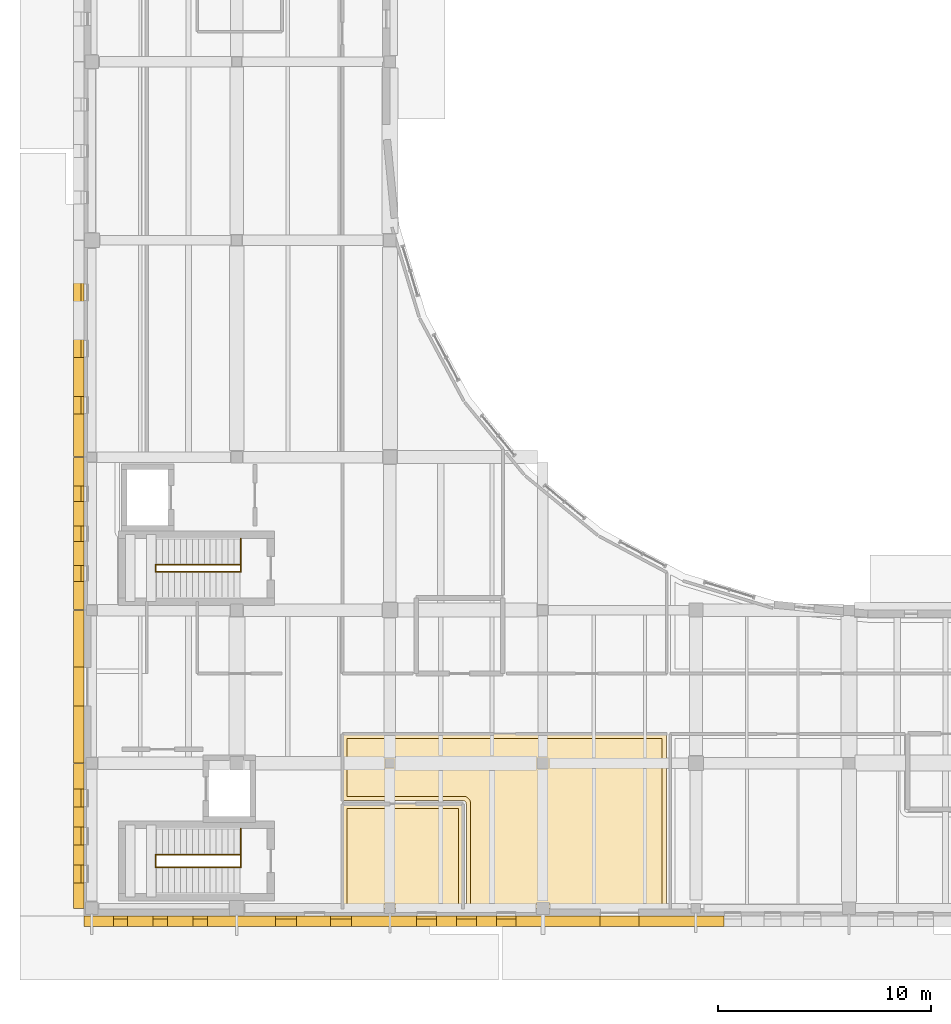
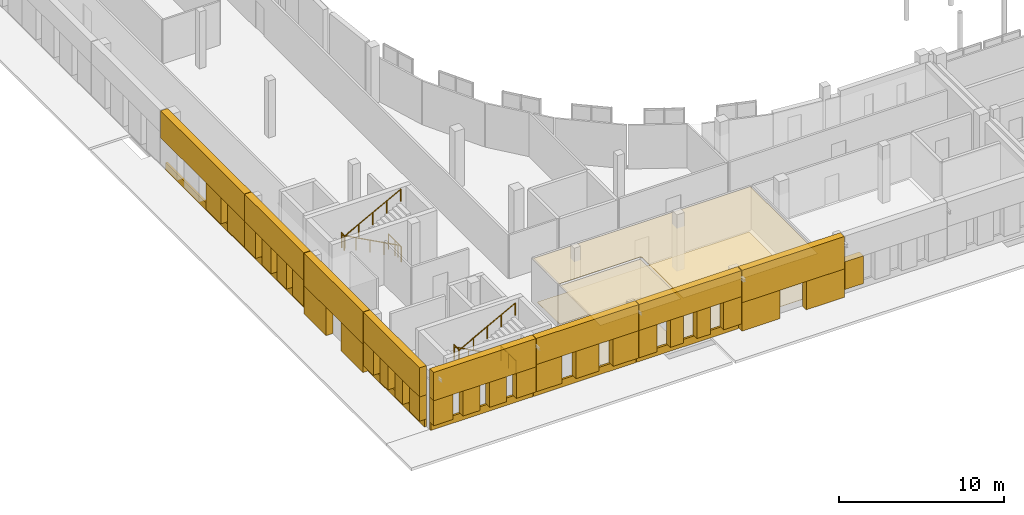
# One storey, part 65 of 77: 44 coverings, 8 railings.
"""IFC4 building model written with IfcOpenShell, lengths in metres."""

from ifc_helpers import new_model, si_unit, direction, frame, origin, origin_2d, place, context, subcontext, project, spatial, polyline, circle, outline, extrude, material, layer, layer_set, type_object, element, save


model = new_model("IFC4")

# Units and contexts
model_context = context("Model", 3, precision=1e-05, world=origin(), true_north=direction((0.0, 1.0)))
body_context = subcontext(model_context, "Body", "Model", "MODEL_VIEW")
ifc_project = project(units=[si_unit("LENGTHUNIT", "METRE"), si_unit("AREAUNIT", "SQUARE_METRE"), si_unit("VOLUMEUNIT", "CUBIC_METRE"), si_unit("PLANEANGLEUNIT", "RADIAN"), si_unit("MASSUNIT", "GRAM", prefix="KILO")], contexts=[model_context])

# Site, building, storey
site_placement = place(None, origin())
site = spatial("IfcSite", under=ifc_project, at=site_placement, CompositionType="ELEMENT")
building_placement = place(site_placement, origin())
building = spatial("IfcBuilding", under=site, at=building_placement, Name="Vardoun Plaza Health Centre", CompositionType="ELEMENT")
storey_placement = place(building_placement, origin())
storey = spatial("IfcBuildingStorey", under=building, at=storey_placement, Name="L00", CompositionType="ELEMENT", Elevation=0.0)

# Coverings
ifc_material_1 = material(Name="Hygienic Acoustic Mineral-Fibre Ceiling", Category="concrete")
ifc_layer_1 = layer(ifc_material_1, 0.02490234375)
ifc_layer_set_1 = layer_set([ifc_layer_1], Name="Hygienic Acoustic Mineral-Fibre Ceiling")
covering_type_1 = type_object("IfcCoveringType", Name="CL-01", PredefinedType="CEILING", material=ifc_layer_set_1)
covering_1_placement = place(storey_placement, frame((0.0, 0.0, 3.179931640625)))
element("IfcCovering", 1, at=covering_1_placement, inside=storey, type_object=covering_type_1, Name="Fire Command Room Acoustic Ceiling", PredefinedType="CEILING", context=body_context, shape_type="SweptSolid", body=[
    extrude(outline(polyline([(16.679931640625, 9.7744140625), (22.33447265625, 9.7744140625), (22.33447265625, 4.860107421875), (16.679931640625, 4.860107421875), (16.679931640625, 9.7744140625)])), origin(), (0.0, 0.0, 1.0), 0.025146484375),
])
covering_2_placement = place(storey_placement, frame((0.0, 0.0, 3.179931640625)))
element("IfcCovering", 2, at=covering_2_placement, inside=storey, type_object=covering_type_1, Name="Outpatient Waiting Lounge L00 Acoustic Ceiling", PredefinedType="CEILING", context=body_context, shape_type="SweptSolid", body=[
    extrude(outline(polyline([(16.679931640625, 13.070068359375), (31.919921875, 13.070068359375), (31.919921875, 4.860107421875), (22.494384765625, 4.860107421875), (22.494384765625, 9.784423828125), (22.494384765625, 9.784912109375), (22.493896484375, 9.798583984375), (22.49365234375, 9.799560546875), (22.49169921875, 9.813232421875), (22.491455078125, 9.814208984375), (22.48828125, 9.827392578125), (22.48779296875, 9.828369140625), (22.483154296875, 9.84130859375), (22.48291015625, 9.842041015625), (22.47705078125, 9.8544921875), (22.4765625, 9.85546875), (22.469482421875, 9.8671875), (22.468994140625, 9.867919921875), (22.460693359375, 9.879150390625), (22.460205078125, 9.8798828125), (22.450927734375, 9.889892578125), (22.4501953125, 9.890625), (22.43994140625, 9.89990234375), (22.439208984375, 9.900634765625), (22.42822265625, 9.90869140625), (22.427490234375, 9.909423828125), (22.41552734375, 9.91650390625), (22.414794921875, 9.916748046875), (22.40234375, 9.922607421875), (22.4013671875, 9.923095703125), (22.388427734375, 9.927734375), (22.3876953125, 9.927978515625), (22.374267578125, 9.931396484375), (22.373291015625, 9.931640625), (22.359619140625, 9.93359375), (22.358642578125, 9.93359375), (22.344970703125, 9.934326171875), (22.344482421875, 9.934326171875), (16.679931640625, 9.934326171875), (16.679931640625, 13.070068359375)])), origin(), (0.0, 0.0, 1.0), 0.025146484375),
])
ifc_material_2 = material(Name="Pale Limestone Concrete C35/45", Category="masonry")
ifc_layer_2 = layer(ifc_material_2, 0.080078125)
ifc_layer_set_2 = layer_set([ifc_layer_2], Name="Pale Limestone Concrete C35/45")
covering_type_2 = type_object("IfcCoveringType", Name="CL-EXT1", PredefinedType="CLADDING", material=ifc_layer_set_2)
covering_3_placement = place(storey_placement, frame((0.0, 0.0, 0.550048828125)))
element("IfcCovering", 3, at=covering_3_placement, inside=storey, type_object=covering_type_2, Name="V2 L00 Deep-Punched Slot Concrete Reveal Pier 12", PredefinedType="CLADDING", context=body_context, shape_type="SweptSolid", body=[
    extrude(outline(polyline([(34.623046875, 4.5), (33.320068359375, 4.5), (33.320068359375, 4.02001953125), (34.623046875, 4.02001953125), (34.623046875, 4.5)])), origin(), (0.0, 0.0, 1.0), 2.06005859375),
])
covering_4_placement = place(storey_placement, frame((0.0, 0.0, 2.10009765625)))
element("IfcCovering", 4, at=covering_4_placement, inside=storey, type_object=covering_type_2, Name="V2 L00 Sculpted Concrete Eyebrow Hood 13", PredefinedType="CLADDING", context=body_context, shape_type="SweptSolid", body=[
    extrude(outline(polyline([(33.280029296875, 4.5), (26.1201171875, 4.5), (26.1201171875, 4.02001953125), (33.280029296875, 4.02001953125), (33.280029296875, 4.5)])), origin(), (0.0, 0.0, 1.0), 2.39990234375),
])
covering_5_placement = place(storey_placement, origin())
element("IfcCovering", 5, at=covering_5_placement, inside=storey, type_object=covering_type_2, Name="V2 L00 Deep-Punched Slot Concrete Reveal Pier 14", PredefinedType="CLADDING", context=body_context, shape_type="SweptSolid", body=[
    extrude(outline(polyline([(33.280029296875, 4.5), (30.6201171875, 4.5), (30.6201171875, 4.02001953125), (33.280029296875, 4.02001953125), (33.280029296875, 4.5)])), origin(), (0.0, 0.0, 1.0), 2.10009765625),
])
covering_6_placement = place(storey_placement, origin())
element("IfcCovering", 6, at=covering_6_placement, inside=storey, type_object=covering_type_2, Name="V2 L00 Deep-Punched Slot Concrete Reveal Pier 15", PredefinedType="CLADDING", context=body_context, shape_type="SweptSolid", body=[
    extrude(outline(polyline([(28.780029296875, 4.5), (26.1201171875, 4.5), (26.1201171875, 4.02001953125), (28.780029296875, 4.02001953125), (28.780029296875, 4.5)])), origin(), (0.0, 0.0, 1.0), 2.10009765625),
])
covering_7_placement = place(storey_placement, origin())
element("IfcCovering", 7, at=covering_7_placement, inside=storey, type_object=covering_type_2, Name="V2 L00 Pale Concrete Sill Band 16", PredefinedType="CLADDING", context=body_context, shape_type="SweptSolid", body=[
    extrude(outline(polyline([(26.080078125, 4.5), (18.919921875, 4.5), (18.919921875, 4.360107421875), (26.080078125, 4.360107421875), (26.080078125, 4.5)])), origin(), (0.0, 0.0, 1.0), 0.550048828125),
])
covering_8_placement = place(storey_placement, frame((0.0, 0.0, 2.570068359375)))
element("IfcCovering", 8, at=covering_8_placement, inside=storey, type_object=covering_type_2, Name="V2 L00 Sculpted Concrete Eyebrow Hood 17", PredefinedType="CLADDING", context=body_context, shape_type="SweptSolid", body=[
    extrude(outline(polyline([(26.080078125, 4.5), (18.919921875, 4.5), (18.919921875, 4.02001953125), (26.080078125, 4.02001953125), (26.080078125, 4.5)])), origin(), (0.0, 0.0, 1.0), 1.929931640625),
])
covering_9_placement = place(storey_placement, frame((0.0, 0.0, 0.550048828125)))
element("IfcCovering", 9, at=covering_9_placement, inside=storey, type_object=covering_type_2, Name="V2 L00 Deep-Punched Slot Concrete Reveal Pier 18", PredefinedType="CLADDING", context=body_context, shape_type="SweptSolid", body=[
    extrude(outline(polyline([(26.080078125, 4.5), (24.8369140625, 4.5), (24.8369140625, 4.02001953125), (26.080078125, 4.02001953125), (26.080078125, 4.5)])), origin(), (0.0, 0.0, 1.0), 2.02001953125),
])
covering_10_placement = place(storey_placement, frame((0.0, 0.0, 0.550048828125)))
element("IfcCovering", 10, at=covering_10_placement, inside=storey, type_object=covering_type_2, Name="V2 L00 Deep-Punched Slot Concrete Reveal Pier 19", PredefinedType="CLADDING", context=body_context, shape_type="SweptSolid", body=[
    extrude(outline(polyline([(23.906982421875, 4.5), (22.965087890625, 4.5), (22.965087890625, 4.02001953125), (23.906982421875, 4.02001953125), (23.906982421875, 4.5)])), origin(), (0.0, 0.0, 1.0), 2.02001953125),
])
covering_11_placement = place(storey_placement, frame((0.0, 0.0, 0.550048828125)))
element("IfcCovering", 11, at=covering_11_placement, inside=storey, type_object=covering_type_2, Name="V2 L00 Deep-Punched Slot Concrete Reveal Pier 20", PredefinedType="CLADDING", context=body_context, shape_type="SweptSolid", body=[
    extrude(outline(polyline([(22.034912109375, 4.5), (21.093017578125, 4.5), (21.093017578125, 4.02001953125), (22.034912109375, 4.02001953125), (22.034912109375, 4.5)])), origin(), (0.0, 0.0, 1.0), 2.02001953125),
])
covering_12_placement = place(storey_placement, frame((0.0, 0.0, 0.550048828125)))
element("IfcCovering", 12, at=covering_12_placement, inside=storey, type_object=covering_type_2, Name="V2 L00 Deep-Punched Slot Concrete Reveal Pier 21", PredefinedType="CLADDING", context=body_context, shape_type="SweptSolid", body=[
    extrude(outline(polyline([(20.1630859375, 4.5), (18.919921875, 4.5), (18.919921875, 4.02001953125), (20.1630859375, 4.02001953125), (20.1630859375, 4.5)])), origin(), (0.0, 0.0, 1.0), 2.02001953125),
])
covering_13_placement = place(storey_placement, origin())
element("IfcCovering", 13, at=covering_13_placement, inside=storey, type_object=covering_type_2, Name="V2 L00 Pale Concrete Sill Band 22", PredefinedType="CLADDING", context=body_context, shape_type="SweptSolid", body=[
    extrude(outline(polyline([(18.8798828125, 4.5), (11.719970703125, 4.5), (11.719970703125, 4.360107421875), (18.8798828125, 4.360107421875), (18.8798828125, 4.5)])), origin(), (0.0, 0.0, 1.0), 0.550048828125),
])
covering_14_placement = place(storey_placement, frame((0.0, 0.0, 2.570068359375)))
element("IfcCovering", 14, at=covering_14_placement, inside=storey, type_object=covering_type_2, Name="V2 L00 Sculpted Concrete Eyebrow Hood 23", PredefinedType="CLADDING", context=body_context, shape_type="SweptSolid", body=[
    extrude(outline(polyline([(18.8798828125, 4.5), (11.719970703125, 4.5), (11.719970703125, 4.02001953125), (18.8798828125, 4.02001953125), (18.8798828125, 4.5)])), origin(), (0.0, 0.0, 1.0), 1.929931640625),
])
covering_15_placement = place(storey_placement, frame((0.0, 0.0, 0.550048828125)))
element("IfcCovering", 15, at=covering_15_placement, inside=storey, type_object=covering_type_2, Name="V2 L00 Deep-Punched Slot Concrete Reveal Pier 24", PredefinedType="CLADDING", context=body_context, shape_type="SweptSolid", body=[
    extrude(outline(polyline([(18.8798828125, 4.5), (17.091064453125, 4.5), (17.091064453125, 4.02001953125), (18.8798828125, 4.02001953125), (18.8798828125, 4.5)])), origin(), (0.0, 0.0, 1.0), 2.02001953125),
])
covering_16_placement = place(storey_placement, frame((0.0, 0.0, 0.550048828125)))
element("IfcCovering", 16, at=covering_16_placement, inside=storey, type_object=covering_type_2, Name="V2 L00 Deep-Punched Slot Concrete Reveal Pier 25", PredefinedType="CLADDING", context=body_context, shape_type="SweptSolid", body=[
    extrude(outline(polyline([(16.10107421875, 4.5), (14.4990234375, 4.5), (14.4990234375, 4.02001953125), (16.10107421875, 4.02001953125), (16.10107421875, 4.5)])), origin(), (0.0, 0.0, 1.0), 2.02001953125),
])
covering_17_placement = place(storey_placement, frame((0.0, 0.0, 0.550048828125)))
element("IfcCovering", 17, at=covering_17_placement, inside=storey, type_object=covering_type_2, Name="V2 L00 Deep-Punched Slot Concrete Reveal Pier 26", PredefinedType="CLADDING", context=body_context, shape_type="SweptSolid", body=[
    extrude(outline(polyline([(13.509033203125, 4.5), (11.719970703125, 4.5), (11.719970703125, 4.02001953125), (13.509033203125, 4.02001953125), (13.509033203125, 4.5)])), origin(), (0.0, 0.0, 1.0), 2.02001953125),
])
covering_18_placement = place(storey_placement, origin())
element("IfcCovering", 18, at=covering_18_placement, inside=storey, type_object=covering_type_2, Name="V2 L00 Pale Concrete Sill Band 27", PredefinedType="CLADDING", context=body_context, shape_type="SweptSolid", body=[
    extrude(outline(polyline([(11.679931640625, 4.5), (4.52001953125, 4.5), (4.52001953125, 4.360107421875), (11.679931640625, 4.360107421875), (11.679931640625, 4.5)])), origin(), (0.0, 0.0, 1.0), 0.550048828125),
])
covering_19_placement = place(storey_placement, frame((0.0, 0.0, 2.39990234375)))
element("IfcCovering", 19, at=covering_19_placement, inside=storey, type_object=covering_type_2, Name="V2 L00 Sculpted Concrete Eyebrow Hood 28", PredefinedType="CLADDING", context=body_context, shape_type="SweptSolid", body=[
    extrude(outline(polyline([(11.679931640625, 4.5), (4.52001953125, 4.5), (4.52001953125, 4.02001953125), (11.679931640625, 4.02001953125), (11.679931640625, 4.5)])), origin(), (0.0, 0.0, 1.0), 2.10009765625),
])
covering_20_placement = place(storey_placement, frame((0.0, 0.0, 0.550048828125)))
element("IfcCovering", 20, at=covering_20_placement, inside=storey, type_object=covering_type_2, Name="V2 L00 Deep-Punched Slot Concrete Reveal Pier 29", PredefinedType="CLADDING", context=body_context, shape_type="SweptSolid", body=[
    extrude(outline(polyline([(11.679931640625, 4.5), (10.31201171875, 4.5), (10.31201171875, 4.02001953125), (11.679931640625, 4.02001953125), (11.679931640625, 4.5)])), origin(), (0.0, 0.0, 1.0), 1.849853515625),
])
covering_21_placement = place(storey_placement, frame((0.0, 0.0, 0.550048828125)))
element("IfcCovering", 21, at=covering_21_placement, inside=storey, type_object=covering_type_2, Name="V2 L00 Deep-Punched Slot Concrete Reveal Pier 30", PredefinedType="CLADDING", context=body_context, shape_type="SweptSolid", body=[
    extrude(outline(polyline([(9.632080078125, 4.5), (8.43994140625, 4.5), (8.43994140625, 4.02001953125), (9.632080078125, 4.02001953125), (9.632080078125, 4.5)])), origin(), (0.0, 0.0, 1.0), 1.849853515625),
])
covering_22_placement = place(storey_placement, frame((0.0, 0.0, 0.550048828125)))
element("IfcCovering", 22, at=covering_22_placement, inside=storey, type_object=covering_type_2, Name="V2 L00 Deep-Punched Slot Concrete Reveal Pier 31", PredefinedType="CLADDING", context=body_context, shape_type="SweptSolid", body=[
    extrude(outline(polyline([(7.760009765625, 4.5), (6.568115234375, 4.5), (6.568115234375, 4.02001953125), (7.760009765625, 4.02001953125), (7.760009765625, 4.5)])), origin(), (0.0, 0.0, 1.0), 1.849853515625),
])
covering_23_placement = place(storey_placement, frame((0.0, 0.0, 0.550048828125)))
element("IfcCovering", 23, at=covering_23_placement, inside=storey, type_object=covering_type_2, Name="V2 L00 Deep-Punched Slot Concrete Reveal Pier 32", PredefinedType="CLADDING", context=body_context, shape_type="SweptSolid", body=[
    extrude(outline(polyline([(5.887939453125, 4.5), (4.52001953125, 4.5), (4.52001953125, 4.02001953125), (5.887939453125, 4.02001953125), (5.887939453125, 4.5)])), origin(), (0.0, 0.0, 1.0), 1.849853515625),
])
covering_24_placement = place(storey_placement, origin())
element("IfcCovering", 24, at=covering_24_placement, inside=storey, type_object=covering_type_2, Name="V2 L00 Pale Concrete Sill Band 33", PredefinedType="CLADDING", context=body_context, shape_type="SweptSolid", body=[
    extrude(outline(polyline([(4.5, 4.864990234375), (4.5, 11.679931640625), (4.360107421875, 11.679931640625), (4.360107421875, 4.864990234375), (4.5, 4.864990234375)])), origin(), (0.0, 0.0, 1.0), 0.550048828125),
])
covering_25_placement = place(storey_placement, frame((0.0, 0.0, 2.35009765625)))
element("IfcCovering", 25, at=covering_25_placement, inside=storey, type_object=covering_type_2, Name="V2 L00 Sculpted Concrete Eyebrow Hood 34", PredefinedType="CLADDING", context=body_context, shape_type="SweptSolid", body=[
    extrude(outline(polyline([(4.5, 4.864990234375), (4.5, 11.679931640625), (4.02001953125, 11.679931640625), (4.02001953125, 4.864990234375), (4.5, 4.864990234375)])), origin(), (0.0, 0.0, 1.0), 2.14990234375),
])
covering_26_placement = place(storey_placement, frame((0.0, 0.0, 0.550048828125)))
element("IfcCovering", 26, at=covering_26_placement, inside=storey, type_object=covering_type_2, Name="V2 L00 Deep-Punched Slot Concrete Reveal Pier 35", PredefinedType="CLADDING", context=body_context, shape_type="SweptSolid", body=[
    extrude(outline(polyline([(4.5, 4.864990234375), (4.5, 6.0703125), (4.02001953125, 6.0703125), (4.02001953125, 4.864990234375), (4.5, 4.864990234375)])), origin(), (0.0, 0.0, 1.0), 1.800048828125),
])
covering_27_placement = place(storey_placement, frame((0.0, 0.0, 0.550048828125)))
element("IfcCovering", 27, at=covering_27_placement, inside=storey, type_object=covering_type_2, Name="V2 L00 Deep-Punched Slot Concrete Reveal Pier 36", PredefinedType="CLADDING", context=body_context, shape_type="SweptSolid", body=[
    extrude(outline(polyline([(4.5, 6.91015625), (4.5, 7.8525390625), (4.02001953125, 7.8525390625), (4.02001953125, 6.91015625), (4.5, 6.91015625)])), origin(), (0.0, 0.0, 1.0), 1.800048828125),
])
covering_28_placement = place(storey_placement, frame((0.0, 0.0, 0.550048828125)))
element("IfcCovering", 28, at=covering_28_placement, inside=storey, type_object=covering_type_2, Name="V2 L00 Deep-Punched Slot Concrete Reveal Pier 37", PredefinedType="CLADDING", context=body_context, shape_type="SweptSolid", body=[
    extrude(outline(polyline([(4.5, 8.6923828125), (4.5, 9.634765625), (4.02001953125, 9.634765625), (4.02001953125, 8.6923828125), (4.5, 8.6923828125)])), origin(), (0.0, 0.0, 1.0), 1.800048828125),
])
covering_29_placement = place(storey_placement, frame((0.0, 0.0, 0.550048828125)))
element("IfcCovering", 29, at=covering_29_placement, inside=storey, type_object=covering_type_2, Name="V2 L00 Deep-Punched Slot Concrete Reveal Pier 38", PredefinedType="CLADDING", context=body_context, shape_type="SweptSolid", body=[
    extrude(outline(polyline([(4.5, 10.474853515625), (4.5, 11.679931640625), (4.02001953125, 11.679931640625), (4.02001953125, 10.474853515625), (4.5, 10.474853515625)])), origin(), (0.0, 0.0, 1.0), 1.800048828125),
])
covering_30_placement = place(storey_placement, frame((0.0, 0.0, 2.10009765625)))
element("IfcCovering", 30, at=covering_30_placement, inside=storey, type_object=covering_type_2, Name="V2 L00 Sculpted Concrete Eyebrow Hood 39", PredefinedType="CLADDING", context=body_context, shape_type="SweptSolid", body=[
    extrude(outline(polyline([(4.5, 11.719970703125), (4.5, 18.8798828125), (4.02001953125, 18.8798828125), (4.02001953125, 11.719970703125), (4.5, 11.719970703125)])), origin(), (0.0, 0.0, 1.0), 2.39990234375),
])
covering_31_placement = place(storey_placement, origin())
element("IfcCovering", 31, at=covering_31_placement, inside=storey, type_object=covering_type_2, Name="V2 L00 Deep-Punched Slot Concrete Reveal Pier 40", PredefinedType="CLADDING", context=body_context, shape_type="SweptSolid", body=[
    extrude(outline(polyline([(4.5, 11.719970703125), (4.5, 14.3798828125), (4.02001953125, 14.3798828125), (4.02001953125, 11.719970703125), (4.5, 11.719970703125)])), origin(), (0.0, 0.0, 1.0), 2.10009765625),
])
covering_32_placement = place(storey_placement, origin())
element("IfcCovering", 32, at=covering_32_placement, inside=storey, type_object=covering_type_2, Name="V2 L00 Deep-Punched Slot Concrete Reveal Pier 41", PredefinedType="CLADDING", context=body_context, shape_type="SweptSolid", body=[
    extrude(outline(polyline([(4.5, 16.219970703125), (4.5, 18.8798828125), (4.02001953125, 18.8798828125), (4.02001953125, 16.219970703125), (4.5, 16.219970703125)])), origin(), (0.0, 0.0, 1.0), 2.10009765625),
])
covering_33_placement = place(storey_placement, origin())
element("IfcCovering", 33, at=covering_33_placement, inside=storey, type_object=covering_type_2, Name="V2 L00 Pale Concrete Sill Band 42", PredefinedType="CLADDING", context=body_context, shape_type="SweptSolid", body=[
    extrude(outline(polyline([(4.5, 18.919921875), (4.5, 26.080078125), (4.360107421875, 26.080078125), (4.360107421875, 18.919921875), (4.5, 18.919921875)])), origin(), (0.0, 0.0, 1.0), 0.550048828125),
])
covering_34_placement = place(storey_placement, frame((0.0, 0.0, 2.469970703125)))
element("IfcCovering", 34, at=covering_34_placement, inside=storey, type_object=covering_type_2, Name="V2 L00 Sculpted Concrete Eyebrow Hood 43", PredefinedType="CLADDING", context=body_context, shape_type="SweptSolid", body=[
    extrude(outline(polyline([(4.5, 18.919921875), (4.5, 26.080078125), (4.02001953125, 26.080078125), (4.02001953125, 18.919921875), (4.5, 18.919921875)])), origin(), (0.0, 0.0, 1.0), 2.030029296875),
])
covering_35_placement = place(storey_placement, frame((0.0, 0.0, 0.550048828125)))
element("IfcCovering", 35, at=covering_35_placement, inside=storey, type_object=covering_type_2, Name="V2 L00 Deep-Punched Slot Concrete Reveal Pier 44", PredefinedType="CLADDING", context=body_context, shape_type="SweptSolid", body=[
    extrude(outline(polyline([(4.5, 18.919921875), (4.5, 20.258056640625), (4.02001953125, 20.258056640625), (4.02001953125, 18.919921875), (4.5, 18.919921875)])), origin(), (0.0, 0.0, 1.0), 1.919921875),
])
covering_36_placement = place(storey_placement, frame((0.0, 0.0, 0.550048828125)))
element("IfcCovering", 36, at=covering_36_placement, inside=storey, type_object=covering_type_2, Name="V2 L00 Deep-Punched Slot Concrete Reveal Pier 45", PredefinedType="CLADDING", context=body_context, shape_type="SweptSolid", body=[
    extrude(outline(polyline([(4.5, 20.998046875), (4.5, 22.1298828125), (4.02001953125, 22.1298828125), (4.02001953125, 20.998046875), (4.5, 20.998046875)])), origin(), (0.0, 0.0, 1.0), 1.919921875),
])
covering_37_placement = place(storey_placement, frame((0.0, 0.0, 0.550048828125)))
element("IfcCovering", 37, at=covering_37_placement, inside=storey, type_object=covering_type_2, Name="V2 L00 Deep-Punched Slot Concrete Reveal Pier 46", PredefinedType="CLADDING", context=body_context, shape_type="SweptSolid", body=[
    extrude(outline(polyline([(4.5, 22.8701171875), (4.5, 24.001953125), (4.02001953125, 24.001953125), (4.02001953125, 22.8701171875), (4.5, 22.8701171875)])), origin(), (0.0, 0.0, 1.0), 1.919921875),
])
covering_38_placement = place(storey_placement, frame((0.0, 0.0, 0.550048828125)))
element("IfcCovering", 38, at=covering_38_placement, inside=storey, type_object=covering_type_2, Name="V2 L00 Deep-Punched Slot Concrete Reveal Pier 47", PredefinedType="CLADDING", context=body_context, shape_type="SweptSolid", body=[
    extrude(outline(polyline([(4.5, 24.741943359375), (4.5, 26.080078125), (4.02001953125, 26.080078125), (4.02001953125, 24.741943359375), (4.5, 24.741943359375)])), origin(), (0.0, 0.0, 1.0), 1.919921875),
])
covering_39_placement = place(storey_placement, origin())
element("IfcCovering", 39, at=covering_39_placement, inside=storey, type_object=covering_type_2, Name="V2 L00 Pale Concrete Sill Band 48", PredefinedType="CLADDING", context=body_context, shape_type="SweptSolid", body=[
    extrude(outline(polyline([(4.5, 26.1201171875), (4.5, 36.280029296875), (4.360107421875, 36.280029296875), (4.360107421875, 26.1201171875), (4.5, 26.1201171875)])), origin(), (0.0, 0.0, 1.0), 0.550048828125),
])
covering_40_placement = place(storey_placement, frame((0.0, 0.0, 2.5)))
element("IfcCovering", 40, at=covering_40_placement, inside=storey, type_object=covering_type_2, Name="V2 L00 Sculpted Concrete Eyebrow Hood 49", PredefinedType="CLADDING", context=body_context, shape_type="SweptSolid", body=[
    extrude(outline(polyline([(4.5, 26.1201171875), (4.5, 36.280029296875), (4.02001953125, 36.280029296875), (4.02001953125, 26.1201171875), (4.5, 26.1201171875)])), origin(), (0.0, 0.0, 1.0), 2.0),
])
covering_41_placement = place(storey_placement, frame((0.0, 0.0, 0.550048828125)))
element("IfcCovering", 41, at=covering_41_placement, inside=storey, type_object=covering_type_2, Name="V2 L00 Deep-Punched Slot Concrete Reveal Pier 50", PredefinedType="CLADDING", context=body_context, shape_type="SweptSolid", body=[
    extrude(outline(polyline([(4.5, 26.1201171875), (4.5, 28.137939453125), (4.02001953125, 28.137939453125), (4.02001953125, 26.1201171875), (4.5, 26.1201171875)])), origin(), (0.0, 0.0, 1.0), 1.949951171875),
])
covering_42_placement = place(storey_placement, frame((0.0, 0.0, 0.550048828125)))
element("IfcCovering", 42, at=covering_42_placement, inside=storey, type_object=covering_type_2, Name="V2 L00 Deep-Punched Slot Concrete Reveal Pier 51", PredefinedType="CLADDING", context=body_context, shape_type="SweptSolid", body=[
    extrude(outline(polyline([(4.5, 28.9580078125), (4.5, 30.7900390625), (4.02001953125, 30.7900390625), (4.02001953125, 28.9580078125), (4.5, 28.9580078125)])), origin(), (0.0, 0.0, 1.0), 1.949951171875),
])
ifc_material_3 = material(Name="Polished Lebanese Limestone Terrazzo", Category="masonry")
ifc_layer_3 = layer(ifc_material_3, 0.030029296875)
ifc_layer_set_3 = layer_set([ifc_layer_3], Name="Polished Lebanese Limestone Terrazzo")
covering_type_3 = type_object("IfcCoveringType", Name="FL-02", PredefinedType="FLOORING", material=ifc_layer_set_3)
covering_43_placement = place(storey_placement, origin())
element("IfcCovering", 43, at=covering_43_placement, inside=storey, type_object=covering_type_3, Name="Outpatient Waiting Lounge L00 Floor Finish", PredefinedType="FLOORING", context=body_context, shape_type="SweptSolid", body=[
    extrude(outline(polyline([(16.889892578125, 12.860107421875), (31.7099609375, 12.860107421875), (31.7099609375, 5.070068359375), (22.70458984375, 5.070068359375), (22.70458984375, 9.784423828125), (22.7041015625, 9.795654296875), (22.70361328125, 9.809326171875), (22.701416015625, 9.830078125), (22.699462890625, 9.84375), (22.6953125, 9.86474609375), (22.69189453125, 9.8779296875), (22.685302734375, 9.900390625), (22.680419921875, 9.9130859375), (22.673095703125, 9.93115234375), (22.667236328125, 9.943603515625), (22.656494140625, 9.963623046875), (22.6494140625, 9.9755859375), (22.637939453125, 9.992919921875), (22.629638671875, 10.00390625), (22.615234375, 10.021240234375), (22.606201171875, 10.031494140625), (22.591796875, 10.0458984375), (22.58154296875, 10.05517578125), (22.564697265625, 10.069091796875), (22.5537109375, 10.0771484375), (22.534423828125, 10.090087890625), (22.522705078125, 10.096923828125), (22.5048828125, 10.1064453125), (22.49267578125, 10.1123046875), (22.471435546875, 10.12109375), (22.45849609375, 10.125732421875), (22.439697265625, 10.13134765625), (22.42626953125, 10.134765625), (22.40380859375, 10.139404296875), (22.39013671875, 10.141357421875), (22.369384765625, 10.143310546875), (22.355712890625, 10.14404296875), (22.344482421875, 10.144287109375), (16.889892578125, 10.144287109375), (16.889892578125, 12.860107421875)])), origin(), (0.0, 0.0, 1.0), 0.030029296875),
])
ifc_material_4 = material(Name="Seamless Conductive Clinical Vinyl Flooring", Category="concrete")
ifc_layer_4 = layer(ifc_material_4, 0.014892578125)
ifc_layer_set_4 = layer_set([ifc_layer_4], Name="Seamless Conductive Clinical Vinyl Flooring")
covering_type_4 = type_object("IfcCoveringType", Name="FL-01", PredefinedType="FLOORING", material=ifc_layer_set_4)
covering_44_placement = place(storey_placement, origin())
element("IfcCovering", 44, at=covering_44_placement, inside=storey, type_object=covering_type_4, Name="Fire Command Room Floor Finish", PredefinedType="FLOORING", context=body_context, shape_type="SweptSolid", body=[
    extrude(outline(polyline([(16.889892578125, 9.564453125), (22.12451171875, 9.564453125), (22.12451171875, 5.070068359375), (16.889892578125, 5.070068359375), (16.889892578125, 9.564453125)])), origin(), (0.0, 0.0, 1.0), 0.014892578125),
])

# Railings
ifc_material_5 = material(Name="Painted Steel S275JR Stair-Well Guardrail", Category="steel")
railing_type_1 = type_object("IfcRailingType", Name="GR-04", PredefinedType="GUARDRAIL", material=ifc_material_5)
railing_1_placement = place(storey_placement, frame((11.889892578125, 6.804931640625, 0.0)))
element("IfcRailing", 45, at=railing_1_placement, inside=storey, type_object=railing_type_1, Name="Stair ST-C1-B1 Upper Landing Well Guard", PredefinedType="GUARDRAIL", context=body_context, shape_type="SweptSolid", body=[
    extrude(circle(Radius=0.02392578125, at=origin_2d()), frame((0.0, 0.0, 1.09619140625), z_axis=(0.0, 1.0, 0.0), x_axis=(-1.0, 0.0, 0.0)), (0.0, 0.0, 1.0), 1.815185546875),
    extrude(circle(Radius=0.02099609375, at=origin_2d()), origin(), (0.0, 0.0, 1.0), 1.072021484375),
    extrude(circle(Radius=0.02099609375, at=origin_2d()), frame((0.0, 0.90771484375, 0.0)), (0.0, 0.0, 1.0), 1.072021484375),
    extrude(circle(Radius=0.02099609375, at=origin_2d()), frame((0.0, 1.815185546875, 0.0)), (0.0, 0.0, 1.0), 1.072021484375),
])
railing_2_placement = place(storey_placement, frame((7.889892578125, 6.804931640625, 2.25)))
element("IfcRailing", 46, at=railing_2_placement, inside=storey, type_object=railing_type_1, Name="Stair ST-C1-L00 Mid-Landing Well Guard", PredefinedType="GUARDRAIL", context=body_context, shape_type="SweptSolid", body=[
    extrude(circle(Radius=0.02392578125, at=origin_2d()), frame((0.0, 0.0, 1.09619140625), z_axis=(0.0, 1.0, 0.0), x_axis=(-1.0, 0.0, 0.0)), (0.0, 0.0, 1.0), 0.590087890625),
    extrude(circle(Radius=0.02099609375, at=origin_2d()), origin(), (0.0, 0.0, 1.0), 1.072021484375),
    extrude(circle(Radius=0.02099609375, at=origin_2d()), frame((0.0, 0.590087890625, 0.0)), (0.0, 0.0, 1.0), 1.072021484375),
])
railing_3_placement = place(storey_placement, frame((11.889892578125, 20.705078125, 0.0)))
element("IfcRailing", 47, at=railing_3_placement, inside=storey, type_object=railing_type_1, Name="Stair ST-C2-B1 Upper Landing Well Guard", PredefinedType="GUARDRAIL", context=body_context, shape_type="SweptSolid", body=[
    extrude(circle(Radius=0.02392578125, at=origin_2d()), frame((0.0, 0.0, 1.09619140625), z_axis=(0.0, 1.0, 0.0), x_axis=(-1.0, 0.0, 0.0)), (0.0, 0.0, 1.0), 1.56494140625),
    extrude(circle(Radius=0.02099609375, at=origin_2d()), origin(), (0.0, 0.0, 1.0), 1.072021484375),
    extrude(circle(Radius=0.02099609375, at=origin_2d()), frame((0.0, 0.782470703125, 0.0)), (0.0, 0.0, 1.0), 1.072021484375),
    extrude(circle(Radius=0.02099609375, at=origin_2d()), frame((0.0, 1.56494140625, 0.0)), (0.0, 0.0, 1.0), 1.072021484375),
])
railing_4_placement = place(storey_placement, frame((7.889892578125, 20.705078125, 2.25)))
element("IfcRailing", 48, at=railing_4_placement, inside=storey, type_object=railing_type_1, Name="Stair ST-C2-L00 Mid-Landing Well Guard", PredefinedType="GUARDRAIL", context=body_context, shape_type="SweptSolid", body=[
    extrude(circle(Radius=0.02392578125, at=origin_2d()), frame((0.0, 0.0, 1.09619140625), z_axis=(0.0, 1.0, 0.0), x_axis=(-1.0, 0.0, 0.0)), (0.0, 0.0, 1.0), 0.33984375),
    extrude(circle(Radius=0.02099609375, at=origin_2d()), origin(), (0.0, 0.0, 1.0), 1.072021484375),
    extrude(circle(Radius=0.02099609375, at=origin_2d()), frame((0.0, 0.33984375, 0.0)), (0.0, 0.0, 1.0), 1.072021484375),
])
ifc_material_6 = material(Name="Brushed Stainless Steel Grade 316L", Category="steel")
railing_type_2 = type_object("IfcRailingType", Name="HR-01", PredefinedType="HANDRAIL", material=ifc_material_6)
railing_5_placement = place(storey_placement, frame((11.85009765625, 7.39501953125, 0.14990234375)))
element("IfcRailing", 49, at=railing_5_placement, inside=storey, type_object=railing_type_2, Name="Stair ST-C1-L00 Flight 1 Handrail", PredefinedType="HANDRAIL", context=body_context, shape_type="SweptSolid", body=[
    extrude(circle(Radius=0.02392578125, at=origin_2d()), frame((0.0, 0.0, 0.89599609375), z_axis=(-0.881479153919, 0.0, 0.472222935917), x_axis=(0.0, -1.0, 0.0)), (0.0, 0.0, 1.0), 4.447265625),
    extrude(circle(Radius=0.02099609375, at=origin_2d()), origin(), (0.0, 0.0, 1.0), 0.871826171875),
    extrude(circle(Radius=0.02099609375, at=origin_2d()), frame((-0.97998046875, 0.0, 0.52490234375)), (0.0, 0.0, 1.0), 0.871826171875),
    extrude(circle(Radius=0.02099609375, at=origin_2d()), frame((-1.9599609375, 0.0, 1.050048828125)), (0.0, 0.0, 1.0), 0.871826171875),
    extrude(circle(Radius=0.02099609375, at=origin_2d()), frame((-2.940185546875, 0.0, 1.5751953125)), (0.0, 0.0, 1.0), 0.871826171875),
    extrude(circle(Radius=0.02099609375, at=origin_2d()), frame((-3.920166015625, 0.0, 2.10009765625)), (0.0, 0.0, 1.0), 0.871826171875),
])
railing_6_placement = place(storey_placement, frame((7.929931640625, 6.804931640625, 2.39990234375)))
element("IfcRailing", 50, at=railing_6_placement, inside=storey, type_object=railing_type_2, Name="Stair ST-C1-L00 Flight 2 Handrail", PredefinedType="HANDRAIL", context=body_context, shape_type="SweptSolid", body=[
    extrude(circle(Radius=0.02392578125, at=origin_2d()), frame((0.0, 0.0, 0.89599609375), z_axis=(0.881479153919, 0.0, 0.472222935917), x_axis=(0.0, 1.0, 0.0)), (0.0, 0.0, 1.0), 4.447265625),
    extrude(circle(Radius=0.02099609375, at=origin_2d()), origin(), (0.0, 0.0, 1.0), 0.871826171875),
    extrude(circle(Radius=0.02099609375, at=origin_2d()), frame((0.97998046875, 0.0, 0.52490234375)), (0.0, 0.0, 1.0), 0.871826171875),
    extrude(circle(Radius=0.02099609375, at=origin_2d()), frame((1.9599609375, 0.0, 1.050048828125)), (0.0, 0.0, 1.0), 0.871826171875),
    extrude(circle(Radius=0.02099609375, at=origin_2d()), frame((2.940185546875, 0.0, 1.5751953125)), (0.0, 0.0, 1.0), 0.871826171875),
    extrude(circle(Radius=0.02099609375, at=origin_2d()), frame((3.920166015625, 0.0, 2.10009765625)), (0.0, 0.0, 1.0), 0.871826171875),
])
railing_7_placement = place(storey_placement, frame((11.85009765625, 21.044921875, 0.14990234375)))
element("IfcRailing", 51, at=railing_7_placement, inside=storey, type_object=railing_type_2, Name="Stair ST-C2-L00 Flight 1 Handrail", PredefinedType="HANDRAIL", context=body_context, shape_type="SweptSolid", body=[
    extrude(circle(Radius=0.02392578125, at=origin_2d()), frame((0.0, 0.0, 0.89599609375), z_axis=(-0.881479153919, 0.0, 0.472222935917), x_axis=(0.0, -1.0, 0.0)), (0.0, 0.0, 1.0), 4.447265625),
    extrude(circle(Radius=0.02099609375, at=origin_2d()), origin(), (0.0, 0.0, 1.0), 0.871826171875),
    extrude(circle(Radius=0.02099609375, at=origin_2d()), frame((-0.97998046875, 0.0, 0.52490234375)), (0.0, 0.0, 1.0), 0.871826171875),
    extrude(circle(Radius=0.02099609375, at=origin_2d()), frame((-1.9599609375, 0.0, 1.050048828125)), (0.0, 0.0, 1.0), 0.871826171875),
    extrude(circle(Radius=0.02099609375, at=origin_2d()), frame((-2.940185546875, 0.0, 1.5751953125)), (0.0, 0.0, 1.0), 0.871826171875),
    extrude(circle(Radius=0.02099609375, at=origin_2d()), frame((-3.920166015625, 0.0, 2.10009765625)), (0.0, 0.0, 1.0), 0.871826171875),
])
railing_8_placement = place(storey_placement, frame((7.929931640625, 20.705078125, 2.39990234375)))
element("IfcRailing", 52, at=railing_8_placement, inside=storey, type_object=railing_type_2, Name="Stair ST-C2-L00 Flight 2 Handrail", PredefinedType="HANDRAIL", context=body_context, shape_type="SweptSolid", body=[
    extrude(circle(Radius=0.02392578125, at=origin_2d()), frame((0.0, 0.0, 0.89599609375), z_axis=(0.881479153919, 0.0, 0.472222935917), x_axis=(0.0, 1.0, 0.0)), (0.0, 0.0, 1.0), 4.447265625),
    extrude(circle(Radius=0.02099609375, at=origin_2d()), origin(), (0.0, 0.0, 1.0), 0.871826171875),
    extrude(circle(Radius=0.02099609375, at=origin_2d()), frame((0.97998046875, 0.0, 0.52490234375)), (0.0, 0.0, 1.0), 0.871826171875),
    extrude(circle(Radius=0.02099609375, at=origin_2d()), frame((1.9599609375, 0.0, 1.050048828125)), (0.0, 0.0, 1.0), 0.871826171875),
    extrude(circle(Radius=0.02099609375, at=origin_2d()), frame((2.940185546875, 0.0, 1.5751953125)), (0.0, 0.0, 1.0), 0.871826171875),
    extrude(circle(Radius=0.02099609375, at=origin_2d()), frame((3.920166015625, 0.0, 2.10009765625)), (0.0, 0.0, 1.0), 0.871826171875),
])

save(model, "model.ifc")
